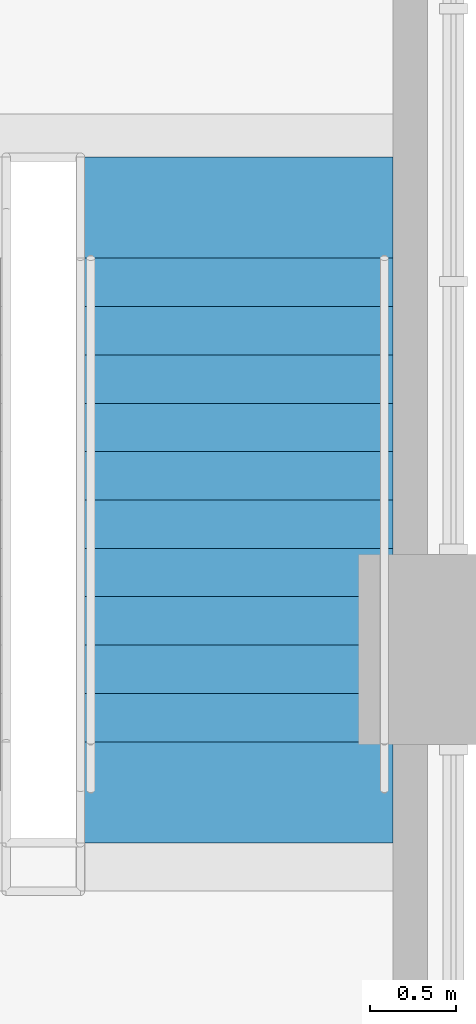
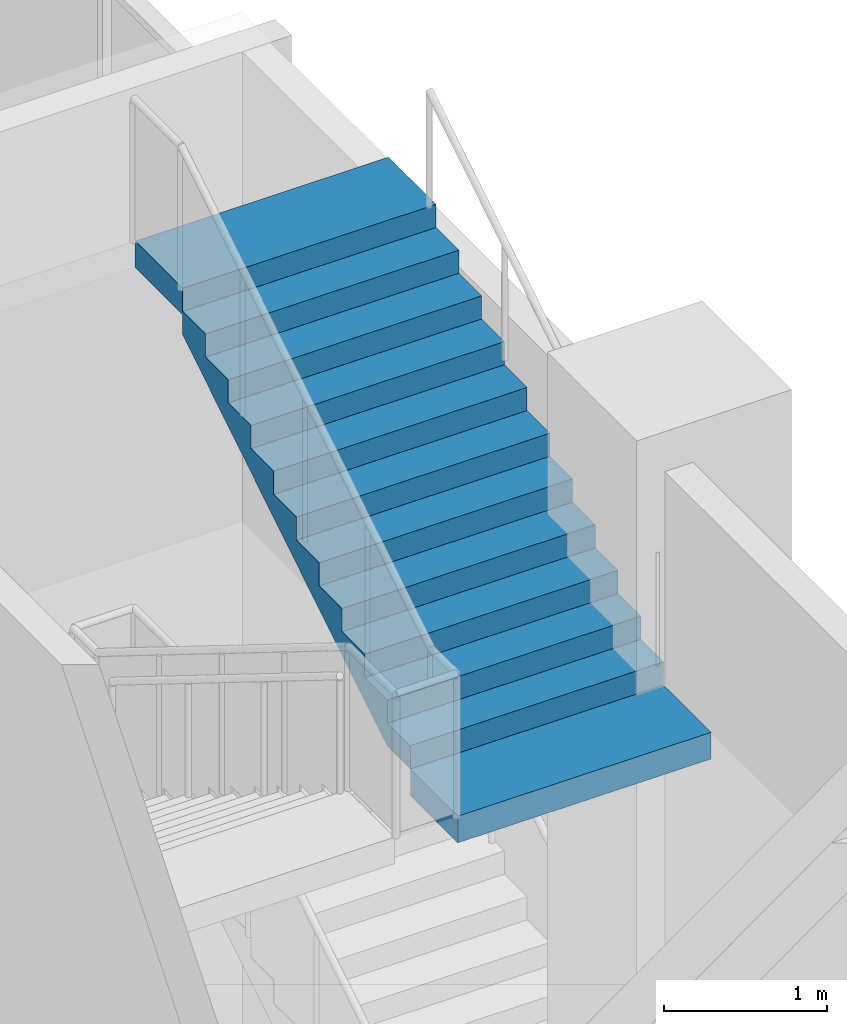
# One storey, part 22 of 26: 1 stair flight, 1 element without a shape of its own.
"""IFC4 building model written with IfcOpenShell, lengths in metres."""

import ifcopenshell
import ifcopenshell.guid

model = None  # the IFC model being written
_history = None  # IfcOwnerHistory: only IFC2X3 demands one
_inside = {}  # id of a spatial element -> (the spatial element, [elements in it])
_under = {}  # id of a project, library or spatial element -> (it, [spatial elements below it])
_declared = {}  # id of a project -> (the project, [libraries it declares])
_typed = {}  # id of a type object -> (the type object, [elements of that type])
_made_of = {}  # id of a material, layer set ... -> (it, [elements and type objects made of it])


def new_model(schema):
    """Start an empty IFC model of exactly this schema.

    Asked for "IFC4X3", IfcOpenShell would pick the latest addendum, in which some entities
    have other attributes; the version numbers below select the first issue.
    IFC2X3 requires an IfcOwnerHistory on every rooted entity: one is made here for all.
    """
    global model, _history
    if schema == "IFC4X3":
        model = ifcopenshell.file(schema_version=(4, 3, 0, 0))
    else:
        model = ifcopenshell.file(schema=schema)
    _inside.clear()
    _under.clear()
    _declared.clear()
    _typed.clear()
    _made_of.clear()
    _history = None
    if model.schema == "IFC2X3":
        org = make("IfcOrganization", Name="unknown")
        user = make(
            "IfcPersonAndOrganization",
            ThePerson=make("IfcPerson", FamilyName="unknown"),
            TheOrganization=org,
        )
        app = make(
            "IfcApplication",
            ApplicationDeveloper=org,
            Version="unknown",
            ApplicationFullName="unknown",
            ApplicationIdentifier="unknown",
        )
        _history = make(
            "IfcOwnerHistory",
            OwningUser=user,
            OwningApplication=app,
            ChangeAction="ADDED",
            CreationDate=0,
        )
    return model


def make(cls, **values):
    """One entity of the class cls with the attributes given. An attribute that is None is left unset."""
    return model.create_entity(
        cls, **{name: value for name, value in values.items() if value is not None}
    )


def rooted(cls, **values):
    """An entity with a GlobalId (a new one), such as an element, a storey or a relation."""
    return make(cls, GlobalId=ifcopenshell.guid.new(), OwnerHistory=_history, **values)


def si_unit(unit_type, name, prefix=None):
    """IfcSIUnit, for example si_unit("LENGTHUNIT", "METRE", prefix="MILLI")."""
    return make("IfcSIUnit", UnitType=unit_type, Prefix=prefix, Name=name)


def assignment(units):
    """IfcUnitAssignment: the units of a project."""
    return None if units is None else make("IfcUnitAssignment", Units=units)


def point(xyz):
    """IfcCartesianPoint."""
    return None if xyz is None else make("IfcCartesianPoint", Coordinates=xyz)


def direction(xyz):
    """IfcDirection."""
    return None if xyz is None else make("IfcDirection", DirectionRatios=xyz)


def frame(location, z_axis=None, x_axis=None):
    """IfcAxis2Placement3D, a coordinate frame: its origin and axes. An axis left out is left unset."""
    return make(
        "IfcAxis2Placement3D",
        Location=point(location),
        Axis=direction(z_axis),
        RefDirection=direction(x_axis),
    )


def origin():
    """The frame at (0, 0, 0) with its axes left unset."""
    return frame((0.0, 0.0, 0.0))


def place(relative_to, where):
    """IfcLocalPlacement: puts the frame where relative to a parent placement (None: the world)."""
    return make(
        "IfcLocalPlacement", PlacementRelTo=relative_to, RelativePlacement=where
    )


def context(
    kind, dimensions, precision=None, world=None, true_north=None, identifier=None
):
    """IfcGeometricRepresentationContext, for example the 3D "Model" context."""
    return make(
        "IfcGeometricRepresentationContext",
        ContextIdentifier=identifier,
        ContextType=kind,
        CoordinateSpaceDimension=dimensions,
        Precision=precision,
        WorldCoordinateSystem=world,
        TrueNorth=true_north,
    )


def subcontext(parent, identifier, kind, view, scale=None):
    """IfcGeometricRepresentationSubContext, for example "Body" below "Model"."""
    return make(
        "IfcGeometricRepresentationSubContext",
        ContextIdentifier=identifier,
        ContextType=kind,
        ParentContext=parent,
        TargetScale=scale,
        TargetView=view,
    )


def project(units=None, contexts=None):
    """IfcProject with its units and contexts."""
    return rooted(
        "IfcProject",
        Name="project",
        RepresentationContexts=contexts,
        UnitsInContext=assignment(units),
    )


def spatial(cls, under=None, at=None, **own):
    """A site, building, storey or space (cls), placed at a placement, below another one or the project."""
    s = rooted(cls, ObjectPlacement=at, **own)
    if under is not None:
        _under.setdefault(under.id(), (under, []))[1].append(s)
    return s


def polyline(points):
    """IfcPolyline through the points."""
    return make("IfcPolyline", Points=[point(p) for p in points])


def outline(outer, holes=None, kind="AREA"):
    """IfcArbitraryClosedProfileDef: a profile drawn as a closed curve; with holes, ...WithVoids."""
    if holes is None:
        return make("IfcArbitraryClosedProfileDef", ProfileType=kind, OuterCurve=outer)
    return make(
        "IfcArbitraryProfileDefWithVoids",
        ProfileType=kind,
        OuterCurve=outer,
        InnerCurves=holes,
    )


def extrude(swept, where, along, depth):
    """IfcExtrudedAreaSolid: the profile swept, set in the frame where, extruded along a direction by depth."""
    return make(
        "IfcExtrudedAreaSolid",
        SweptArea=swept,
        Position=where,
        ExtrudedDirection=direction(along),
        Depth=depth,
    )


def shape(context_of_items, identifier, shape_type, items):
    """IfcShapeRepresentation: the items that make up one representation, for example the "Body"."""
    return make(
        "IfcShapeRepresentation",
        ContextOfItems=context_of_items,
        RepresentationIdentifier=identifier,
        RepresentationType=shape_type,
        Items=items,
    )


def material(Name=None, Category=None):
    """IfcMaterial."""
    return make("IfcMaterial", Name=Name, Category=Category)


def made_of(thing, what):
    """Note that an element or type object is made of a material, layer set ...; save() writes the relation."""
    if what is not None:
        _made_of.setdefault(what.id(), (what, []))[1].append(thing)
    return thing


def type_object(cls, material=None, **own):
    """A type object (cls), such as IfcWallType, which elements share."""
    return made_of(rooted(cls, **own), material)


def element(
    cls,
    number,
    at=None,
    inside=None,
    cuts=None,
    type_object=None,
    material=None,
    context=None,
    identifier="Body",
    shape_type=None,
    held_by="IfcProductDefinitionShape",
    body=None,
    shapes=None,
    **own,
):
    """One element of the class cls, such as IfcWall. Its Tag is "e" and its number.

    at: its placement. inside: the storey or other place that contains it. cuts: it is an
    opening in that element (IfcRelVoidsElement). A single representation is given by context,
    identifier, shape_type and body (its items); several are given by shapes. held_by: the class
    of the entity that holds the representations. save() writes the other relations.
    """
    e = rooted(cls, Tag="e%d" % number, ObjectPlacement=at, **own)
    if body is not None:
        shapes = [shape(context, identifier, shape_type, body)]
    if shapes is not None:
        e.Representation = make(held_by, Representations=shapes)
    if inside is not None:
        _inside.setdefault(inside.id(), (inside, []))[1].append(e)
    if cuts is not None:
        rooted(
            "IfcRelVoidsElement", RelatingBuildingElement=cuts, RelatedOpeningElement=e
        )
    if type_object is not None:
        _typed.setdefault(type_object.id(), (type_object, []))[1].append(e)
    return made_of(e, material)


def aggregate(whole, parts):
    """IfcRelAggregates: a whole, such as a stair, and the parts it consists of."""
    return rooted("IfcRelAggregates", RelatingObject=whole, RelatedObjects=parts)


def save(model, path):
    """Write the relations noted so far, then the file.

    IfcRelAggregates (storeys below a building ...), IfcRelContainedInSpatialStructure (elements
    in a storey), IfcRelDefinesByType, IfcRelAssociatesMaterial and IfcRelDeclares: one each for
    every whole, place, type object, material and project.
    """
    for whole, parts in _under.values():
        aggregate(whole, parts)
    for where, things in _inside.values():
        rooted(
            "IfcRelContainedInSpatialStructure",
            RelatedElements=things,
            RelatingStructure=where,
        )
    for kind, things in _typed.values():
        rooted("IfcRelDefinesByType", RelatedObjects=things, RelatingType=kind)
    for what, things in _made_of.values():
        rooted("IfcRelAssociatesMaterial", RelatedObjects=things, RelatingMaterial=what)
    for by, libraries in _declared.values():
        rooted("IfcRelDeclares", RelatingContext=by, RelatedDefinitions=libraries)
    model.write(path)


model = new_model("IFC4")

# Units and contexts
model_context = context("Model", 3, precision=1e-05, world=origin(), true_north=direction((0.0, 1.0)))
body_context = subcontext(model_context, "Body", "Model", "MODEL_VIEW")
ifc_project = project(units=[si_unit("LENGTHUNIT", "METRE"), si_unit("AREAUNIT", "SQUARE_METRE"), si_unit("VOLUMEUNIT", "CUBIC_METRE"), si_unit("PLANEANGLEUNIT", "RADIAN"), si_unit("MASSUNIT", "GRAM", prefix="KILO")], contexts=[model_context])

# Site, building, storey
site_placement = place(None, origin())
site = spatial("IfcSite", under=ifc_project, at=site_placement, CompositionType="ELEMENT")
building_placement = place(site_placement, origin())
building = spatial("IfcBuilding", under=site, at=building_placement, Name="Kilele Tower Hotel", CompositionType="ELEMENT")
storey_placement = place(building_placement, frame((0.0, 0.0, 11.0)))
storey = spatial("IfcBuildingStorey", under=building, at=storey_placement, Name="L02", CompositionType="ELEMENT", Elevation=11.0)

# Stair, stair flight
ifc_material_1 = material(Name="Precast concrete C40/50", Category="concrete")
stair_type = type_object("IfcStairType", Name="Stair 1800 x 8000", PredefinedType="HALF_TURN_STAIR", material=ifc_material_1)
stair_placement = place(storey_placement, origin())
stair = element("IfcStair", 1, at=stair_placement, inside=storey, type_object=stair_type, Name="Stair 5 L02", PredefinedType="HALF_TURN_STAIR")
ifc_material_2 = material(Name="Precast concrete C40/50", Category="concrete")
stair_flight_type = type_object("IfcStairFlightType", Name="Flight 1800 riser 173.9", PredefinedType="STRAIGHT", material=ifc_material_2)
stair_flight_placement = place(storey_placement, frame((57.25, 3.965087890625, 6.0869140625), z_axis=(0.0, 0.0, 1.0), x_axis=(0.0, 1.0, 0.0)))
stair_flight = element("IfcStairFlight", 2, at=stair_flight_placement, type_object=stair_flight_type, Name="ST5 flight 4", NumberOfRisers=11, NumberOfTreads=10, PredefinedType="STRAIGHT", RiserHeight=0.173913043, TreadLength=0.28, context=body_context, shape_type="SweptSolid", body=[
    extrude(outline(polyline([(0.0, 0.0), (0.0, 0.173828125), (0.280029296875, 0.173828125), (0.280029296875, 0.347900390625), (0.56005859375, 0.347900390625), (0.56005859375, 0.521728515625), (0.840087890625, 0.521728515625), (0.840087890625, 0.695556640625), (1.1201171875, 0.695556640625), (1.1201171875, 0.86962890625), (1.39990234375, 0.86962890625), (1.39990234375, 1.04345703125), (1.679931640625, 1.04345703125), (1.679931640625, 1.21728515625), (1.9599609375, 1.21728515625), (1.9599609375, 1.391357421875), (2.239990234375, 1.391357421875), (2.239990234375, 1.565185546875), (2.52001953125, 1.565185546875), (2.52001953125, 1.739013671875), (2.800048828125, 1.739013671875), (2.800048828125, 1.9130859375), (2.800048828125, 1.562744140625), (0.2841796875, 0.0), (0.0, 0.0)])), frame((0.0, 0.89990234375, 0.0), z_axis=(0.0, -1.0, 0.0), x_axis=(1.0, 0.0, 0.0)), (0.0, 0.0, 1.0), 1.800048828125),
    extrude(outline(polyline([(-0.585205078125, 0.89990234375), (-0.585205078125, -0.89990234375), (0.0, -0.89990234375), (0.0, 0.89990234375), (-0.585205078125, 0.89990234375)])), frame((0.0, 0.0, -0.199951171875)), (0.0, 0.0, 1.0), 0.199951171875),
    extrude(outline(polyline([(2.7998046875, 0.89990234375), (2.7998046875, -0.89990234375), (3.385009765625, -0.89990234375), (3.385009765625, 0.89990234375), (2.7998046875, 0.89990234375)])), frame((0.0, 0.0, 1.713134765625)), (0.0, 0.0, 1.0), 0.199951171875),
])
aggregate(stair, [stair_flight])

save(model, "model.ifc")
